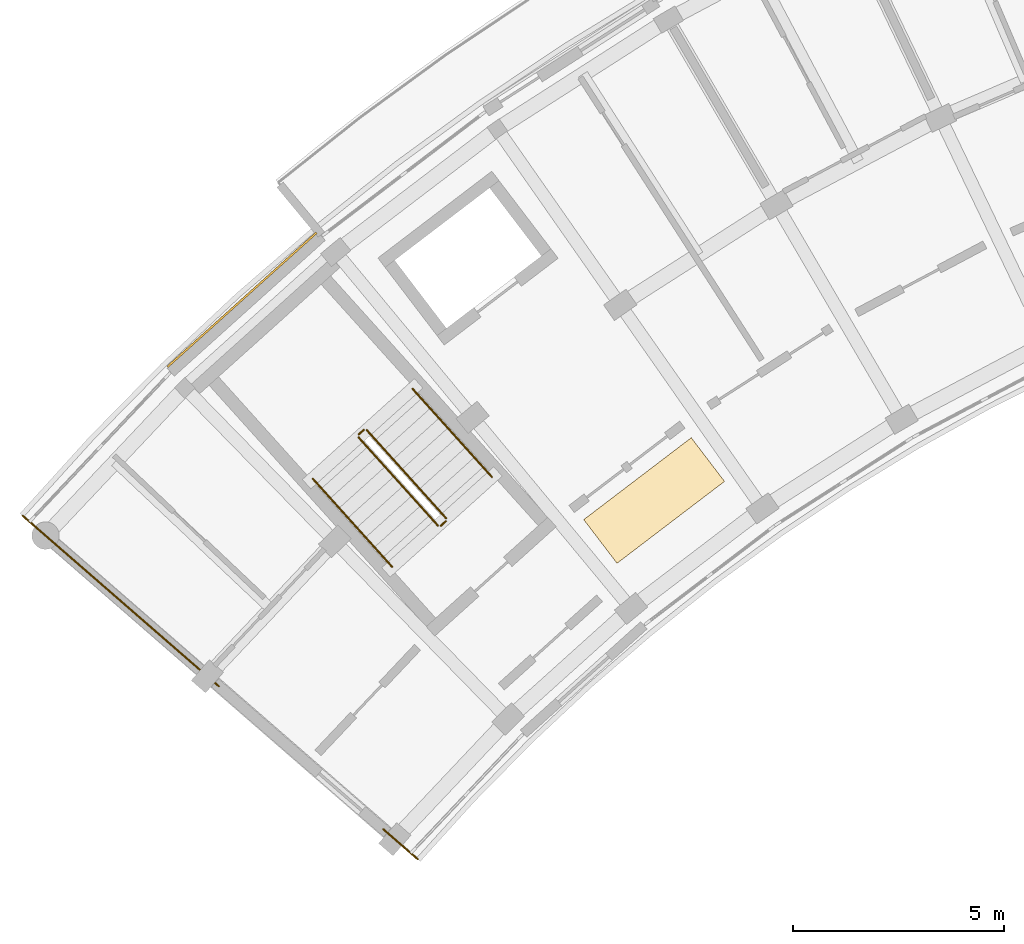
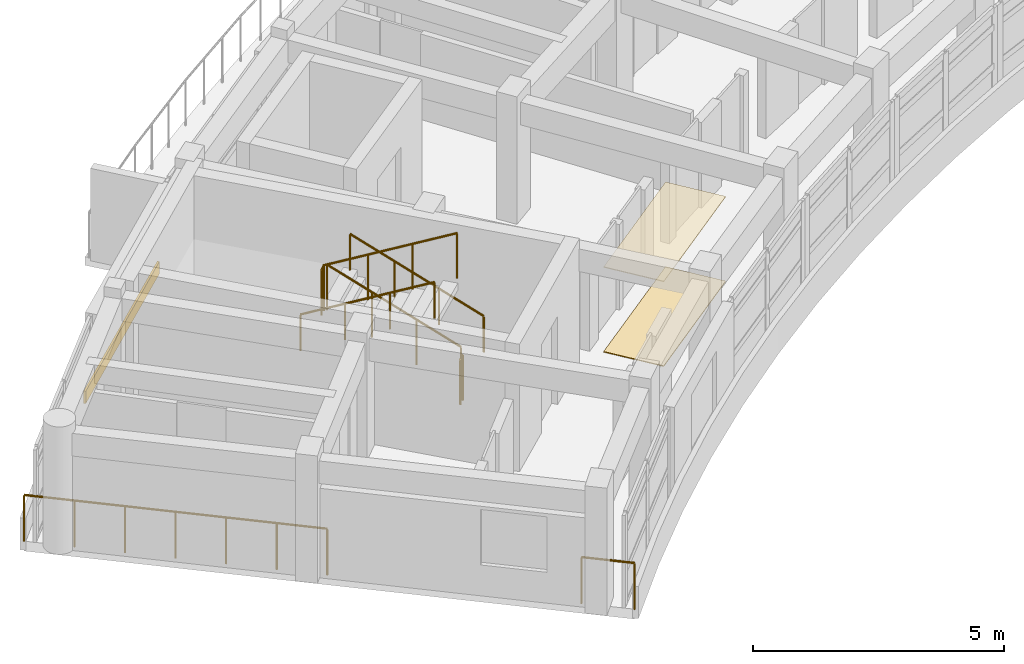
# One storey, part 18 of 20: 8 railings, 3 coverings.
"""IFC4 building model written with IfcOpenShell, lengths in metres."""

from ifc_helpers import new_model, si_unit, direction, frame, origin, origin_2d, place, context, subcontext, project, spatial, rectangle, circle, extrude, material, layer, layer_set, type_object, element, save


model = new_model("IFC4")

# Units and contexts
model_context = context("Model", 3, precision=1e-05, world=origin(), true_north=direction((0.0, 1.0)))
body_context = subcontext(model_context, "Body", "Model", "MODEL_VIEW")
ifc_project = project(units=[si_unit("LENGTHUNIT", "METRE"), si_unit("AREAUNIT", "SQUARE_METRE"), si_unit("VOLUMEUNIT", "CUBIC_METRE"), si_unit("PLANEANGLEUNIT", "RADIAN"), si_unit("MASSUNIT", "GRAM", prefix="KILO")], contexts=[model_context])

# Site, building, storey
site_placement = place(None, origin())
site = spatial("IfcSite", under=ifc_project, at=site_placement, CompositionType="ELEMENT")
building_placement = place(site_placement, origin())
building = spatial("IfcBuilding", under=site, at=building_placement, Name="Zimvara Arc Housing Community", CompositionType="ELEMENT")
storey_placement = place(building_placement, frame((0.0, 0.0, 39.10009765625)))
storey = spatial("IfcBuildingStorey", under=building, at=storey_placement, Name="L12", CompositionType="ELEMENT", Elevation=39.10009765625)

# Coverings
ifc_material_1 = material(Name="Pale-Gold Anodised Aluminium Cladding", Category="aluminium")
ifc_layer_1 = layer(ifc_material_1, 0.044921875)
ifc_layer_set_1 = layer_set([ifc_layer_1], Name="Pale-Gold Anodised Aluminium Cladding")
covering_type_1 = type_object("IfcCoveringType", Name="CLD-GOLD-02", PredefinedType="CLADDING", material=ifc_layer_set_1)
covering_1_placement = place(storey_placement, frame((5.217529296875, 88.7138671875, 0.009765625), z_axis=(0.0, 0.0, 1.0), x_axis=(0.74337718344, 0.668872456557, 0.0)))
element("IfcCovering", 1, at=covering_1_placement, inside=storey, type_object=covering_type_1, Name="cld:blkA:L12:out:b1", PredefinedType="CLADDING", context=body_context, shape_type="SweptSolid", body=[
    extrude(rectangle(XDim=4.748779296875, YDim=0.044921875, at=origin_2d()), origin(), (0.0, 0.0, 1.0), 0.300048828125),
])
ifc_material_2 = material(Name="Perforated Acoustic Ceiling Board")
ifc_layer_2 = layer(ifc_material_2, 0.01806640625)
ifc_layer_set_2 = layer_set([ifc_layer_2], Name="Perforated Acoustic Ceiling Board")
covering_type_2 = type_object("IfcCoveringType", Name="COV-CEIL-01", PredefinedType="CEILING", material=ifc_layer_set_2)
covering_2_placement = place(storey_placement, frame((14.974853515625, 83.959228515625, 2.061767578125), z_axis=(0.0, 0.0, 1.0), x_axis=(-0.605988400266, 0.795473480855, 0.0)))
element("IfcCovering", 2, at=covering_2_placement, inside=storey, type_object=covering_type_2, Name="ceil:blkA:L12", PredefinedType="CEILING", context=body_context, shape_type="SweptSolid", body=[
    extrude(rectangle(XDim=1.300048828125, YDim=3.199951171875, at=origin_2d()), origin(), (0.0, 0.0, 1.0), 0.01806640625),
])
ifc_material_3 = material(Name="Polished Coastal Sand Terrazzo")
ifc_layer_3 = layer(ifc_material_3, 0.02001953125)
ifc_layer_set_3 = layer_set([ifc_layer_3], Name="Polished Coastal Sand Terrazzo")
covering_type_3 = type_object("IfcCoveringType", Name="COV-FLOR-01", PredefinedType="FLOORING", material=ifc_layer_set_3)
covering_3_placement = place(storey_placement, frame((14.974853515625, 83.959228515625, 0.0), z_axis=(0.0, 0.0, 1.0), x_axis=(-0.605988400266, 0.795473480855, 0.0)))
element("IfcCovering", 3, at=covering_3_placement, inside=storey, type_object=covering_type_3, Name="flor:blkA:L12", PredefinedType="FLOORING", context=body_context, shape_type="SweptSolid", body=[
    extrude(rectangle(XDim=1.300048828125, YDim=3.199951171875, at=origin_2d()), origin(), (0.0, 0.0, 1.0), 0.02001953125),
])

# Railings
ifc_material_4 = material(Name="Anodised Aluminium AW-6063", Category="aluminium")
railing_type_1 = type_object("IfcRailingType", Name="RLG-BAL-1120", PredefinedType="BALUSTRADE", material=ifc_material_4)
railing_1_placement = place(storey_placement, frame((10.0478515625, 83.5400390625, 0.15478515625)))
element("IfcRailing", 4, at=railing_1_placement, inside=storey, type_object=railing_type_1, Name="L12 ST-A1 stair guard 1", PredefinedType="BALUSTRADE", context=body_context, shape_type="SweptSolid", body=[
    extrude(circle(Radius=0.02392578125, at=origin_2d()), frame((0.0, 0.0, 1.09619140625), z_axis=(-0.599018063854, 0.665748660595, 0.444922555162), x_axis=(-0.743380604779, -0.668868654101, 0.0)), (0.0, 0.0, 1.0), 3.135498046875),
    extrude(circle(Radius=0.02099609375, at=origin_2d()), origin(), (0.0, 0.0, 1.0), 1.072021484375),
    extrude(circle(Radius=0.02099609375, at=origin_2d()), frame((-0.6259765625, 0.69580078125, 0.465087890625)), (0.0, 0.0, 1.0), 1.072021484375),
    extrude(circle(Radius=0.02099609375, at=origin_2d()), frame((-1.252197265625, 1.3916015625, 0.929931640625)), (0.0, 0.0, 1.0), 1.072021484375),
    extrude(circle(Radius=0.02099609375, at=origin_2d()), frame((-1.878173828125, 2.08740234375, 1.39501953125)), (0.0, 0.0, 1.0), 1.072021484375),
])
railing_2_placement = place(storey_placement, frame((8.098876953125, 85.631103515625, 1.5498046875)))
element("IfcRailing", 5, at=railing_2_placement, inside=storey, type_object=railing_type_1, Name="L12 ST-A1 stair guard 2", PredefinedType="BALUSTRADE", context=body_context, shape_type="SweptSolid", body=[
    extrude(circle(Radius=0.02392578125, at=origin_2d()), frame((0.0, 0.0, 1.09619140625), z_axis=(-0.743521848755, -0.668711642207, 0.0), x_axis=(0.668711642207, -0.743521848755, 0.0)), (0.0, 0.0, 1.0), 0.159912109375),
    extrude(circle(Radius=0.02099609375, at=origin_2d()), origin(), (0.0, 0.0, 1.0), 1.072021484375),
    extrude(circle(Radius=0.02099609375, at=origin_2d()), frame((-0.118896484375, -0.10693359375, 0.0)), (0.0, 0.0, 1.0), 1.072021484375),
])
railing_3_placement = place(storey_placement, frame((7.976318359375, 85.453369140625, 1.704833984375)))
element("IfcRailing", 6, at=railing_3_placement, inside=storey, type_object=railing_type_1, Name="L12 ST-A1 stair guard 3", PredefinedType="BALUSTRADE", context=body_context, shape_type="SweptSolid", body=[
    extrude(circle(Radius=0.02392578125, at=origin_2d()), frame((0.0, 0.0, 1.09619140625), z_axis=(0.599018063854, -0.665748660595, 0.444922555162), x_axis=(0.743380604779, 0.668868654101, 0.0)), (0.0, 0.0, 1.0), 3.135498046875),
    extrude(circle(Radius=0.02099609375, at=origin_2d()), origin(), (0.0, 0.0, 1.0), 1.072021484375),
    extrude(circle(Radius=0.02099609375, at=origin_2d()), frame((0.6259765625, -0.69580078125, 0.465087890625)), (0.0, 0.0, 1.0), 1.072021484375),
    extrude(circle(Radius=0.02099609375, at=origin_2d()), frame((1.252197265625, -1.3916015625, 0.929931640625)), (0.0, 0.0, 1.0), 1.072021484375),
    extrude(circle(Radius=0.02099609375, at=origin_2d()), frame((1.878173828125, -2.08740234375, 1.39501953125)), (0.0, 0.0, 1.0), 1.072021484375),
])
railing_4_placement = place(storey_placement, frame((10.0439453125, 83.469482421875, 0.0)))
element("IfcRailing", 7, at=railing_4_placement, inside=storey, type_object=railing_type_1, Name="L12 ST-A1 stair guard 4", PredefinedType="BALUSTRADE", context=body_context, shape_type="SweptSolid", body=[
    extrude(circle(Radius=0.02392578125, at=origin_2d()), frame((0.0, 0.0, 1.09619140625), z_axis=(-0.742763048172, -0.669554369913, 0.0), x_axis=(0.669554369913, -0.742763048172, 0.0)), (0.0, 0.0, 1.0), 0.16015625),
    extrude(circle(Radius=0.02099609375, at=origin_2d()), origin(), (0.0, 0.0, 1.0), 1.072021484375),
    extrude(circle(Radius=0.02099609375, at=origin_2d()), frame((-0.118896484375, -0.107177734375, 0.0)), (0.0, 0.0, 1.0), 1.072021484375),
])
ifc_material_5 = material(Name="Anodised Aluminium AW-6063", Category="aluminium")
railing_type_2 = type_object("IfcRailingType", Name="RLG-BAL-1150", PredefinedType="BALUSTRADE", material=ifc_material_5)
railing_5_placement = place(storey_placement, frame((9.377685546875, 75.466064453125, 0.0)))
element("IfcRailing", 8, at=railing_5_placement, inside=storey, type_object=railing_type_2, Name="rlg:blkA:L12:gable_in:g0", PredefinedType="BALUSTRADE", context=body_context, shape_type="SweptSolid", body=[
    extrude(circle(Radius=0.02392578125, at=origin_2d()), frame((0.0, 0.0, 1.1259765625), z_axis=(-0.75477095777, 0.655988415528, 0.0), x_axis=(-0.655988415528, -0.75477095777, 0.0)), (0.0, 0.0, 1.0), 1.080078125),
    extrude(circle(Radius=0.02099609375, at=origin_2d()), origin(), (0.0, 0.0, 1.0), 1.101806640625),
    extrude(circle(Radius=0.02099609375, at=origin_2d()), frame((-0.815185546875, 0.70849609375, 0.0)), (0.0, 0.0, 1.0), 1.101806640625),
])
railing_6_placement = place(storey_placement, frame((4.668212890625, 79.559814453125, 0.0)))
element("IfcRailing", 9, at=railing_6_placement, inside=storey, type_object=railing_type_2, Name="rlg:blkA:L12:gable_out:g0", PredefinedType="BALUSTRADE", context=body_context, shape_type="SweptSolid", body=[
    extrude(circle(Radius=0.02392578125, at=origin_2d()), frame((0.0, 0.0, 1.1259765625), z_axis=(-0.754708757217, 0.656059975749, 0.0), x_axis=(-0.656059975749, -0.754708757217, 0.0)), (0.0, 0.0, 1.0), 6.159912109375),
    extrude(circle(Radius=0.02099609375, at=origin_2d()), origin(), (0.0, 0.0, 1.0), 1.101806640625),
    extrude(circle(Radius=0.02099609375, at=origin_2d()), frame((-0.77490234375, 0.673583984375, 0.0)), (0.0, 0.0, 1.0), 1.101806640625),
    extrude(circle(Radius=0.02099609375, at=origin_2d()), frame((-1.549560546875, 1.34716796875, 0.0)), (0.0, 0.0, 1.0), 1.101806640625),
    extrude(circle(Radius=0.02099609375, at=origin_2d()), frame((-2.324462890625, 2.0205078125, 0.0)), (0.0, 0.0, 1.0), 1.101806640625),
    extrude(circle(Radius=0.02099609375, at=origin_2d()), frame((-3.099365234375, 2.694091796875, 0.0)), (0.0, 0.0, 1.0), 1.101806640625),
    extrude(circle(Radius=0.02099609375, at=origin_2d()), frame((-3.8740234375, 3.36767578125, 0.0)), (0.0, 0.0, 1.0), 1.101806640625),
    extrude(circle(Radius=0.02099609375, at=origin_2d()), frame((-4.64892578125, 4.041259765625, 0.0)), (0.0, 0.0, 1.0), 1.101806640625),
])
ifc_material_6 = material(Name="Anodised Aluminium AW-6063", Category="aluminium")
railing_type_3 = type_object("IfcRailingType", Name="RLG-HND-900", PredefinedType="HANDRAIL", material=ifc_material_6)
railing_7_placement = place(storey_placement, frame((11.133056640625, 84.5166015625, 0.15478515625)))
element("IfcRailing", 10, at=railing_7_placement, inside=storey, type_object=railing_type_3, Name="L12 ST-A1 stair handrail 1", PredefinedType="HANDRAIL", context=body_context, shape_type="SweptSolid", body=[
    extrude(circle(Radius=0.02392578125, at=origin_2d()), frame((0.0, 0.0, 0.8759765625), z_axis=(-0.599018063854, 0.665748660595, 0.444922555162), x_axis=(-0.743380604779, -0.668868654101, 0.0)), (0.0, 0.0, 1.0), 3.135498046875),
    extrude(circle(Radius=0.02099609375, at=origin_2d()), origin(), (0.0, 0.0, 1.0), 0.851806640625),
    extrude(circle(Radius=0.02099609375, at=origin_2d()), frame((-0.6259765625, 0.69580078125, 0.465087890625)), (0.0, 0.0, 1.0), 0.851806640625),
    extrude(circle(Radius=0.02099609375, at=origin_2d()), frame((-1.252197265625, 1.3916015625, 0.929931640625)), (0.0, 0.0, 1.0), 0.851806640625),
    extrude(circle(Radius=0.02099609375, at=origin_2d()), frame((-1.878173828125, 2.08740234375, 1.39501953125)), (0.0, 0.0, 1.0), 0.851806640625),
])
railing_8_placement = place(storey_placement, frame((6.890869140625, 84.476806640625, 1.704833984375)))
element("IfcRailing", 11, at=railing_8_placement, inside=storey, type_object=railing_type_3, Name="L12 ST-A1 stair handrail 2", PredefinedType="HANDRAIL", context=body_context, shape_type="SweptSolid", body=[
    extrude(circle(Radius=0.02392578125, at=origin_2d()), frame((0.0, 0.0, 0.8759765625), z_axis=(0.599067985855, -0.665717608404, 0.444901802856), x_axis=(0.743337374551, 0.668916697052, 0.0)), (0.0, 0.0, 1.0), 3.135498046875),
    extrude(circle(Radius=0.02099609375, at=origin_2d()), origin(), (0.0, 0.0, 1.0), 0.851806640625),
    extrude(circle(Radius=0.02099609375, at=origin_2d()), frame((0.626220703125, -0.69580078125, 0.465087890625)), (0.0, 0.0, 1.0), 0.851806640625),
    extrude(circle(Radius=0.02099609375, at=origin_2d()), frame((1.252197265625, -1.3916015625, 0.929931640625)), (0.0, 0.0, 1.0), 0.851806640625),
    extrude(circle(Radius=0.02099609375, at=origin_2d()), frame((1.87841796875, -2.08740234375, 1.39501953125)), (0.0, 0.0, 1.0), 0.851806640625),
])

save(model, "model.ifc")
